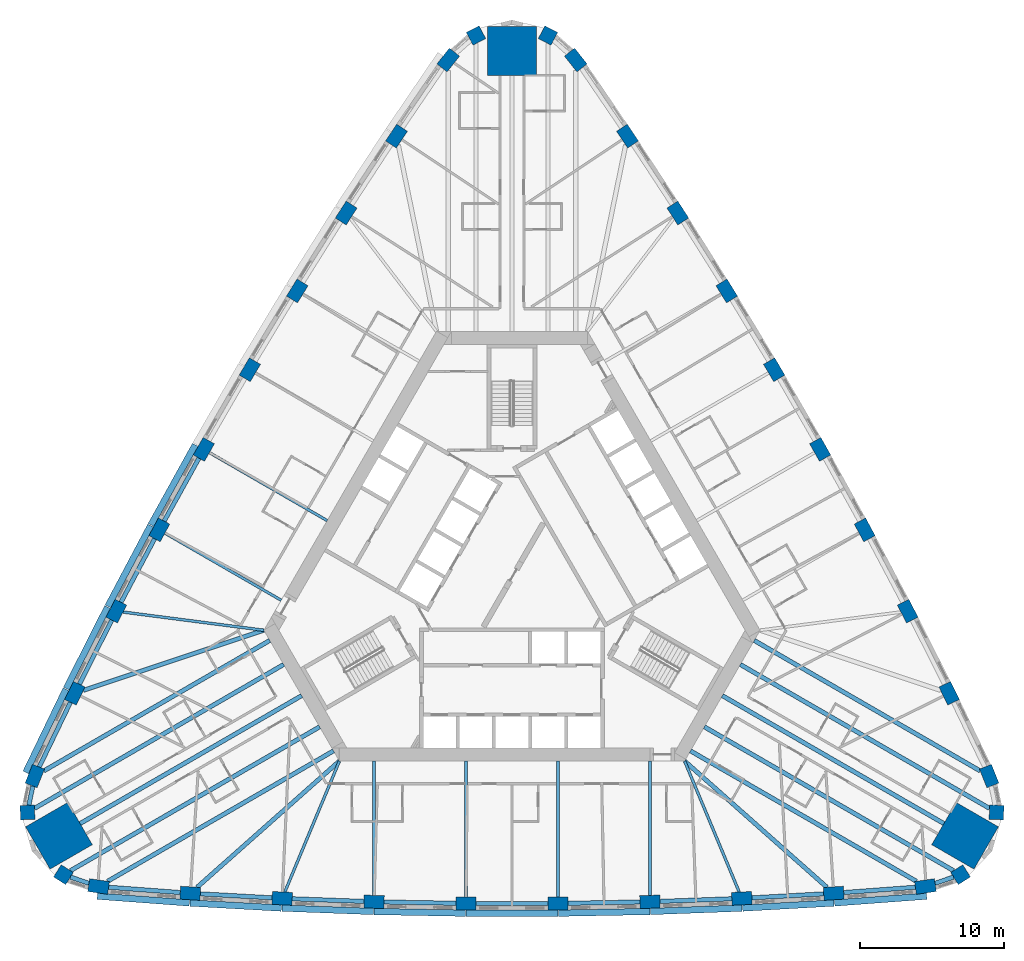
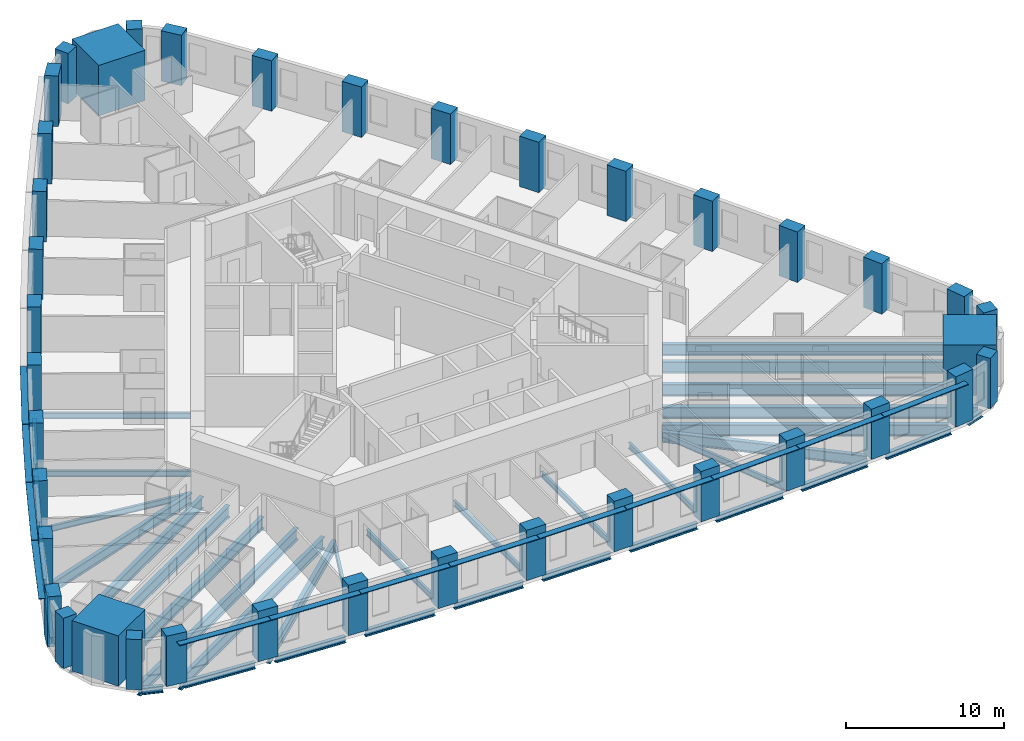
# One storey, part 1 of 13: 39 columns, 38 beams, 13 members.
"""IFC4 building model written with IfcOpenShell, lengths in metres."""

from ifc_helpers import new_model, si_unit, direction, frame, origin, origin_2d, place, context, subcontext, project, spatial, rectangle, i_section, extrude, material, material_profile, profile_set, type_object, element, save


model = new_model("IFC4")

# Units and contexts
model_context = context("Model", 3, precision=1e-05, world=origin(), true_north=direction((0.0, 1.0)))
body_context = subcontext(model_context, "Body", "Model", "MODEL_VIEW")
ifc_project = project(units=[si_unit("LENGTHUNIT", "METRE"), si_unit("AREAUNIT", "SQUARE_METRE"), si_unit("VOLUMEUNIT", "CUBIC_METRE"), si_unit("PLANEANGLEUNIT", "RADIAN"), si_unit("MASSUNIT", "GRAM", prefix="KILO")], contexts=[model_context])

# Site, building, storey
site_placement = place(None, origin())
site = spatial("IfcSite", under=ifc_project, at=site_placement, CompositionType="ELEMENT")
building_placement = place(site_placement, origin())
building = spatial("IfcBuilding", under=site, at=building_placement, Name="Mestral Congress Tower", CompositionType="ELEMENT")
storey_placement = place(building_placement, frame((0.0, 0.0, 31.5)))
storey = spatial("IfcBuildingStorey", under=building, at=storey_placement, Name="L06", CompositionType="ELEMENT", Elevation=31.5)

# Columns
ifc_material_1 = material(Name="Concrete C70/85", Category="concrete")
ifc_material_profile_1 = material_profile(ifc_material_1, rectangle(XDim=1.0, YDim=1.0, at=origin_2d()), Name="RC 1000x1000")
ifc_profile_set_1 = profile_set([ifc_material_profile_1], Name="Concrete C70/85")
column_type_1 = type_object("IfcColumnType", Name="Column RC 1000x1000 C70/85", PredefinedType="COLUMN", material=ifc_profile_set_1)
for number, where, z_axis, x_axis, name in (
    (1, (31.210205078125, -20.90966796875, 0.0), (0.0, 0.0, 1.0), (0.844485001826, 0.535579202071, 0.0), "COL-L06-C1-SE1"),
    (2, (33.71337890625, -16.573974609375, 0.0), (0.0, 0.0, 1.0), (0.041582693819, 0.999135065732, 0.0), "COL-L06-C1-SE3"),
    (3, (2.503173828125, 37.483642578125, 0.0), (0.0, 0.0, 1.0), (-0.886067695645, 0.463555863661, 0.0), "COL-L06-C1-N1"),
    (4, (-2.503173828125, 37.483642578125, 0.0), (0.0, 0.0, 1.0), (-0.886067695645, -0.463555863661, 0.0), "COL-L06-C1-N3"),
    (5, (-33.71337890625, -16.573974609375, 0.0), (0.0, 0.0, 1.0), (0.041582693819, -0.999135065732, 0.0), "COL-L06-C1-SW1"),
    (6, (-31.210205078125, -20.90966796875, 0.0), (0.0, 0.0, 1.0), (0.844485001826, -0.535579202071, 0.0), "COL-L06-C1-SW3"),
):
    element("IfcColumn", number, at=place(storey_placement, frame(where, z_axis=z_axis, x_axis=x_axis)), inside=storey, type_object=column_type_1, Name=name, PredefinedType="COLUMN", context=body_context, shape_type="SweptSolid", body=[
        extrude(rectangle(XDim=1.0, YDim=1.0, at=origin_2d()), origin(), (0.0, 0.0, 1.0), 3.89990234375),
    ])
ifc_material_profile_2 = material_profile(ifc_material_1, rectangle(XDim=1.39990234375, YDim=0.89990234375, at=origin_2d()), Name="RC 1400x900")
ifc_profile_set_2 = profile_set([ifc_material_profile_2], Name="Concrete C70/85")
column_type_2 = type_object("IfcColumnType", Name="Column RC 1400x900 C70/85", PredefinedType="COLUMN", material=ifc_profile_set_2)
for number, where, z_axis, x_axis, name in (
    (7, (-28.766845703125, -21.730712890625, 0.0), (0.0, 0.0, 1.0), (0.989423502484, -0.145055619443, 0.0), "COL-L06-C1-S00"),
    (8, (-22.384521484375, -22.20361328125, 0.0), (0.0, 0.0, 1.0), (0.997907501024, -0.064657709518, 0.0), "COL-L06-C1-S01"),
    (9, (-15.994384765625, -22.558349609375, 0.0), (0.0, 0.0, 1.0), (0.998932216029, -0.04619986774, 0.0), "COL-L06-C1-S02"),
    (10, (-9.598876953125, -22.794921875, 0.0), (0.0, 0.0, 1.0), (0.999615553977, -0.027726237529, 0.0), "COL-L06-C1-S03"),
    (11, (-3.199951171875, -22.9130859375, 0.0), (0.0, 0.0, 1.0), (0.999957281342, -0.009243132098, 0.0), "COL-L06-C1-S04"),
    (12, (3.199951171875, -22.9130859375, 0.0), (0.0, 0.0, 1.0), (0.999957281342, 0.009243132098, 0.0), "COL-L06-C1-S05"),
    (13, (9.598876953125, -22.794921875, 0.0), (0.0, 0.0, 1.0), (0.999615553977, 0.027726237529, 0.0), "COL-L06-C1-S06"),
    (14, (15.994384765625, -22.558349609375, 0.0), (0.0, 0.0, 1.0), (0.998932216029, 0.04619986774, 0.0), "COL-L06-C1-S07"),
    (15, (22.384521484375, -22.20361328125, 0.0), (0.0, 0.0, 1.0), (0.997907501024, 0.064657709518, 0.0), "COL-L06-C1-S08"),
    (16, (28.766845703125, -21.730712890625, 0.0), (0.0, 0.0, 1.0), (0.989423502484, 0.145055619443, 0.0), "COL-L06-C1-S09"),
    (17, (33.202880859375, -14.04736328125, 0.0), (0.0, 0.0, 1.0), (-0.369089899843, 0.929393697974, 0.0), "COL-L06-C1-E00"),
    (18, (30.421142578125, -8.28369140625, 0.0), (0.0, 0.0, 1.0), (-0.442958531519, 0.896542101273, 0.0), "COL-L06-C1-E01"),
    (19, (27.533203125, -2.572265625, 0.0), (0.0, 0.0, 1.0), (-0.4594558489, 0.88820060961, 0.0), "COL-L06-C1-E02"),
    (20, (24.540283203125, 3.084716796875, 0.0), (0.0, 0.0, 1.0), (-0.475796150937, 0.879555582526, 0.0), "COL-L06-C1-E03"),
    (21, (21.443359375, 8.685302734375, 0.0), (0.0, 0.0, 1.0), (-0.491973853463, 0.870609974391, 0.0), "COL-L06-C1-E04"),
    (22, (18.243408203125, 14.227783203125, 0.0), (0.0, 0.0, 1.0), (-0.507983427879, 0.861366842292, 0.0), "COL-L06-C1-E05"),
    (23, (14.941650390625, 19.710205078125, 0.0), (0.0, 0.0, 1.0), (-0.52381940304, 0.851829344998, 0.0), "COL-L06-C1-E06"),
    (24, (11.5390625, 25.130615234375, 0.0), (0.0, 0.0, 1.0), (-0.539476367129, 0.84200074187, 0.0), "COL-L06-C1-E07"),
    (25, (8.03662109375, 30.4873046875, 0.0), (0.0, 0.0, 1.0), (-0.554948969505, 0.831884391755, 0.0), "COL-L06-C1-E08"),
    (26, (4.43603515625, 35.7783203125, 0.0), (0.0, 0.0, 1.0), (-0.620333602641, 0.784338078531, 0.0), "COL-L06-C1-E09"),
    (27, (-4.43603515625, 35.7783203125, 0.0), (0.0, 0.0, 1.0), (-0.620333602641, -0.784338078531, 0.0), "COL-L06-C1-W00"),
    (28, (-8.03662109375, 30.4873046875, 0.0), (0.0, 0.0, 1.0), (-0.554948969505, -0.831884391755, 0.0), "COL-L06-C1-W01"),
    (29, (-11.5390625, 25.130615234375, 0.0), (0.0, 0.0, 1.0), (-0.539476367129, -0.84200074187, 0.0), "COL-L06-C1-W02"),
    (30, (-14.941650390625, 19.710205078125, 0.0), (0.0, 0.0, 1.0), (-0.52381940304, -0.851829344998, 0.0), "COL-L06-C1-W03"),
    (31, (-18.243408203125, 14.227783203125, 0.0), (0.0, 0.0, 1.0), (-0.507983427879, -0.861366842292, 0.0), "COL-L06-C1-W04"),
    (32, (-21.443359375, 8.685302734375, 0.0), (0.0, 0.0, 1.0), (-0.491973853463, -0.870609974391, 0.0), "COL-L06-C1-W05"),
    (33, (-24.540283203125, 3.084716796875, 0.0), (0.0, 0.0, 1.0), (-0.475796150937, -0.879555582526, 0.0), "COL-L06-C1-W06"),
    (34, (-27.533203125, -2.572265625, 0.0), (0.0, 0.0, 1.0), (-0.4594558489, -0.88820060961, 0.0), "COL-L06-C1-W07"),
    (35, (-30.421142578125, -8.28369140625, 0.0), (0.0, 0.0, 1.0), (-0.442958531519, -0.896542101273, 0.0), "COL-L06-C1-W08"),
    (36, (-33.202880859375, -14.04736328125, 0.0), (0.0, 0.0, 1.0), (-0.369089899843, -0.929393697974, 0.0), "COL-L06-C1-W09"),
):
    element("IfcColumn", number, at=place(storey_placement, frame(where, z_axis=z_axis, x_axis=x_axis)), inside=storey, type_object=column_type_2, Name=name, PredefinedType="COLUMN", context=body_context, shape_type="SweptSolid", body=[
        extrude(rectangle(XDim=1.39990234375, YDim=0.89990234375, at=origin_2d()), origin(), (0.0, 0.0, 1.0), 3.89990234375),
    ])
ifc_material_2 = material(Name="Concrete C80/95", Category="concrete")
ifc_material_profile_3 = material_profile(ifc_material_2, rectangle(XDim=3.39990234375, YDim=3.39990234375, at=origin_2d()), Name="RC 3400x3400")
ifc_profile_set_3 = profile_set([ifc_material_profile_3], Name="Concrete C80/95")
column_type_3 = type_object("IfcColumnType", Name="Mega column RC 3400x3400 C80/95", PredefinedType="COLUMN", material=ifc_profile_set_3)
for number, where, z_axis, x_axis, name in (
    (37, (31.5224609375, -18.199462890625, 0.0), (0.0, 0.0, 1.0), (0.866025403784, -0.5, 0.0), "COL-L06-PY1-SE"),
    (38, (0.0, 36.39892578125, 0.0), (0.0, 0.0, 1.0), (0.0, 1.0, 0.0), "COL-L06-PY1-N"),
    (39, (-31.5224609375, -18.199462890625, 0.0), (0.0, 0.0, 1.0), (-0.866025403784, -0.5, 0.0), "COL-L06-PY1-SW"),
):
    element("IfcColumn", number, at=place(storey_placement, frame(where, z_axis=z_axis, x_axis=x_axis)), inside=storey, type_object=column_type_3, Name=name, PredefinedType="COLUMN", context=body_context, shape_type="SweptSolid", body=[
        extrude(rectangle(XDim=3.39990234375, YDim=3.39990234375, at=origin_2d()), origin(), (0.0, 0.0, 1.0), 3.89990234375),
    ])

# Members
ifc_material_3 = material(Name="Glazed ceramic", Category="masonry")
ifc_material_profile_4 = material_profile(ifc_material_3, rectangle(XDim=0.449951171875, YDim=0.06005859375, at=origin_2d()), Name="Ceramic blade 450 x 60")
ifc_profile_set_4 = profile_set([ifc_material_profile_4], Name="Glazed ceramic")
member_type = type_object("IfcMemberType", Name="Facade sunshade blade 450 x 60", PredefinedType="USERDEFINED", material=ifc_profile_set_4)
member_1_placement = place(storey_placement, frame((-28.853271484375, -22.4013671875, 3.280029296875), z_axis=(0.997269829073, -0.073843672858, 0.0), x_axis=(0.073843672858, 0.997269829073, 0.0)))
element("IfcMember", 40, at=member_1_placement, inside=storey, type_object=member_type, Name="Sunshade F0-00", ObjectType="SUNSHADE", PredefinedType="USERDEFINED", context=body_context, shape_type="SweptSolid", body=[
    extrude(rectangle(XDim=0.449951171875, YDim=0.06005859375, at=origin_2d()), origin(), (0.0, 0.0, 1.0), 6.420654296875),
])
member_2_placement = place(storey_placement, frame((-22.406005859375, -22.87841796875, 3.280029296875), z_axis=(0.998462240013, -0.055436046654, 0.0), x_axis=(0.055436046654, 0.998462240013, 0.0)))
element("IfcMember", 41, at=member_2_placement, inside=storey, type_object=member_type, Name="Sunshade F0-01", ObjectType="SUNSHADE", PredefinedType="USERDEFINED", context=body_context, shape_type="SweptSolid", body=[
    extrude(rectangle(XDim=0.449951171875, YDim=0.06005859375, at=origin_2d()), origin(), (0.0, 0.0, 1.0), 6.3681640625),
])
member_3_placement = place(storey_placement, frame((-16.00341796875, -23.2333984375, 3.280029296875), z_axis=(0.99931546381, -0.036994645436, 0.0), x_axis=(0.036994645436, 0.99931546381, 0.0)))
element("IfcMember", 42, at=member_3_placement, inside=storey, type_object=member_type, Name="Sunshade F0-02", ObjectType="SUNSHADE", PredefinedType="USERDEFINED", context=body_context, shape_type="SweptSolid", body=[
    extrude(rectangle(XDim=0.449951171875, YDim=0.06005859375, at=origin_2d()), origin(), (0.0, 0.0, 1.0), 6.368408203125),
])
for number, where, z_axis, x_axis, name in (
    (43, (-9.595458984375, -23.47021484375, 3.280029296875), (0.99982925906, -0.018478439527, 0.0), (0.018478439527, 0.99982925906, 0.0), "Sunshade F0-03"),
    (44, (-3.18408203125, -23.588134765625, 3.280029296875), (1.0, 0.0, 0.0), (0.0, 1.0, 0.0), "Sunshade F0-04"),
    (45, (3.228271484375, -23.587890625, 3.280029296875), (0.99982925906, 0.018478439527, 0.0), (-0.018478439527, 0.99982925906, 0.0), "Sunshade F0-05"),
):
    element("IfcMember", number, at=place(storey_placement, frame(where, z_axis=z_axis, x_axis=x_axis)), inside=storey, type_object=member_type, Name=name, ObjectType="SUNSHADE", PredefinedType="USERDEFINED", context=body_context, shape_type="SweptSolid", body=[
        extrude(rectangle(XDim=0.449951171875, YDim=0.06005859375, at=origin_2d()), origin(), (0.0, 0.0, 1.0), 6.3681640625),
    ])
member_4_placement = place(storey_placement, frame((9.639404296875, -23.468994140625, 3.280029296875), z_axis=(0.99931546381, 0.036994645436, 0.0), x_axis=(-0.036994645436, 0.99931546381, 0.0)))
element("IfcMember", 46, at=member_4_placement, inside=storey, type_object=member_type, Name="Sunshade F0-06", ObjectType="SUNSHADE", PredefinedType="USERDEFINED", context=body_context, shape_type="SweptSolid", body=[
    extrude(rectangle(XDim=0.449951171875, YDim=0.06005859375, at=origin_2d()), origin(), (0.0, 0.0, 1.0), 6.368408203125),
])
member_5_placement = place(storey_placement, frame((16.047607421875, -23.2314453125, 3.280029296875), z_axis=(0.998462240013, 0.055436046654, 0.0), x_axis=(-0.055436046654, 0.998462240013, 0.0)))
element("IfcMember", 47, at=member_5_placement, inside=storey, type_object=member_type, Name="Sunshade F0-07", ObjectType="SUNSHADE", PredefinedType="USERDEFINED", context=body_context, shape_type="SweptSolid", body=[
    extrude(rectangle(XDim=0.449951171875, YDim=0.06005859375, at=origin_2d()), origin(), (0.0, 0.0, 1.0), 6.3681640625),
])
member_6_placement = place(storey_placement, frame((22.4501953125, -22.87548828125, 3.280029296875), z_axis=(0.997269829073, 0.073843672858, 0.0), x_axis=(-0.073843672858, 0.997269829073, 0.0)))
element("IfcMember", 48, at=member_6_placement, inside=storey, type_object=member_type, Name="Sunshade F0-08", ObjectType="SUNSHADE", PredefinedType="USERDEFINED", context=body_context, shape_type="SweptSolid", body=[
    extrude(rectangle(XDim=0.449951171875, YDim=0.06005859375, at=origin_2d()), origin(), (0.0, 0.0, 1.0), 6.420654296875),
])
for number, where, z_axis, x_axis, name in (
    (49, (-22.041748046875, 8.998291015625, 3.280029296875), (-0.483893994258, -0.875126620736, 0.0), (0.875126620736, -0.483893994258, 0.0), "Sunshade F2-05"),
    (50, (-25.144287109375, 3.38623046875, 3.280029296875), (-0.467674573128, -0.883900726128, 0.0), (0.883900726128, -0.467674573128, 0.0), "Sunshade F2-06"),
    (51, (-28.142822265625, -2.28173828125, 3.280029296875), (-0.451226804026, -0.892409307061, 0.0), (0.892409307061, -0.451226804026, 0.0), "Sunshade F2-07"),
):
    element("IfcMember", number, at=place(storey_placement, frame(where, z_axis=z_axis, x_axis=x_axis)), inside=storey, type_object=member_type, Name=name, ObjectType="SUNSHADE", PredefinedType="USERDEFINED", context=body_context, shape_type="SweptSolid", body=[
        extrude(rectangle(XDim=0.449951171875, YDim=0.06005859375, at=origin_2d()), origin(), (0.0, 0.0, 1.0), 6.3681640625),
    ])
member_7_placement = place(storey_placement, frame((-31.035888671875, -8.00439453125, 3.280029296875), z_axis=(-0.434637414368, -0.900605528537, 0.0), x_axis=(0.900605528537, -0.434637414368, 0.0)))
element("IfcMember", 52, at=member_7_placement, inside=storey, type_object=member_type, Name="Sunshade F2-08", ObjectType="SUNSHADE", PredefinedType="USERDEFINED", context=body_context, shape_type="SweptSolid", body=[
    extrude(rectangle(XDim=0.449951171875, YDim=0.06005859375, at=origin_2d()), origin(), (0.0, 0.0, 1.0), 6.4208984375),
])

# Beams
ifc_material_4 = material(Name="Steel S355", Category="steel")
ifc_material_profile_5 = material_profile(ifc_material_4, i_section(OverallWidth=0.300048828125, OverallDepth=0.800048828125, WebThickness=0.017578125, FlangeThickness=0.032958984375, FilletRadius=0.030029296875, at=origin_2d()), Name="HEB 800")
ifc_profile_set_5 = profile_set([ifc_material_profile_5], Name="Steel S355")
beam_type_1 = type_object("IfcBeamType", Name="Floor beam HEB 800 S355", PredefinedType="BEAM", material=ifc_profile_set_5)
for number, where, z_axis, x_axis, name in (
    (53, (-21.91064453125, -21.783447265625, -0.64990234375), (0.748091770025, 0.663595286015, 0.0), (-0.663595286015, 0.748091770025, 0.0), "BM-L06-RB1-S01"),
    (54, (21.91064453125, -21.783447265625, -0.64990234375), (-0.748091770025, 0.663595286015, 0.0), (-0.663595286015, -0.748091770025, 0.0), "BM-L06-RB1-S08"),
    (55, (-29.8203125, -8.08349609375, -0.64990234375), (0.948734931285, 0.316072824141, 0.0), (-0.316072824141, 0.948734931285, 0.0), "BM-L06-RB1-W08"),
):
    element("IfcBeam", number, at=place(storey_placement, frame(where, z_axis=z_axis, x_axis=x_axis)), inside=storey, type_object=beam_type_1, Name=name, PredefinedType="BEAM", context=body_context, shape_type="SweptSolid", body=[
        extrude(i_section(OverallWidth=0.300048828125, OverallDepth=0.800048828125, WebThickness=0.017578125, FlangeThickness=0.032958984375, FilletRadius=0.030029296875, at=origin_2d()), origin(), (0.0, 0.0, 1.0), 13.236083984375),
    ])
ifc_material_profile_6 = material_profile(ifc_material_4, i_section(OverallWidth=0.300048828125, OverallDepth=0.89990234375, WebThickness=0.0185546875, FlangeThickness=0.034912109375, FilletRadius=0.030029296875, at=origin_2d()), Name="HEB 900")
ifc_profile_set_6 = profile_set([ifc_material_profile_6], Name="Steel S355")
beam_type_2 = type_object("IfcBeamType", Name="Floor beam HEB 900 S355", PredefinedType="BEAM", material=ifc_profile_set_6)
for number, where, z_axis, x_axis, name in (
    (56, (-28.138671875, -21.3681640625, -0.699951171875), (0.866027243369, 0.499996813733, 0.0), (-0.499996813733, 0.866027243369, 0.0), "BM-L06-RB1-S00"),
    (57, (28.138671875, -21.3681640625, -0.699951171875), (-0.866027243369, 0.499996813733, 0.0), (-0.499996813733, -0.866027243369, 0.0), "BM-L06-RB1-S09"),
):
    element("IfcBeam", number, at=place(storey_placement, frame(where, z_axis=z_axis, x_axis=x_axis)), inside=storey, type_object=beam_type_2, Name=name, PredefinedType="BEAM", context=body_context, shape_type="SweptSolid", body=[
        extrude(i_section(OverallWidth=0.300048828125, OverallDepth=0.89990234375, WebThickness=0.0185546875, FlangeThickness=0.034912109375, FilletRadius=0.030029296875, at=origin_2d()), origin(), (0.0, 0.0, 1.0), 18.15283203125),
    ])
beam_1_placement = place(storey_placement, frame((30.721435546875, -20.62744140625, -0.699951171875), z_axis=(-0.866027382289, 0.499996573113, 0.0), x_axis=(-0.499996573113, -0.866027382289, 0.0)))
element("IfcBeam", 58, at=beam_1_placement, inside=storey, type_object=beam_type_2, Name="BM-L06-RB1-SE1", PredefinedType="BEAM", context=body_context, shape_type="SweptSolid", body=[
    extrude(i_section(OverallWidth=0.300048828125, OverallDepth=0.89990234375, WebThickness=0.0185546875, FlangeThickness=0.034912109375, FilletRadius=0.030029296875, at=origin_2d()), origin(), (0.0, 0.0, 1.0), 20.019287109375),
])
beam_2_placement = place(storey_placement, frame((30.050048828125, -17.349609375, -0.699951171875), z_axis=(-0.866020438056, 0.500008600796, 0.0), x_axis=(-0.500008600796, -0.866020438056, 0.0)))
element("IfcBeam", 59, at=beam_2_placement, inside=storey, type_object=beam_type_2, Name="BM-L06-RB1-SE", PredefinedType="BEAM", context=body_context, shape_type="SweptSolid", body=[
    extrude(i_section(OverallWidth=0.300048828125, OverallDepth=0.89990234375, WebThickness=0.0185546875, FlangeThickness=0.034912109375, FilletRadius=0.030029296875, at=origin_2d()), origin(), (0.0, 0.0, 1.0), 17.799072265625),
])
beam_3_placement = place(storey_placement, frame((33.224609375, -16.291748046875, -0.699951171875), z_axis=(-0.866027382289, 0.499996573113, 0.0), x_axis=(-0.499996573113, -0.866027382289, 0.0)))
element("IfcBeam", 60, at=beam_3_placement, inside=storey, type_object=beam_type_2, Name="BM-L06-RB1-SE3", PredefinedType="BEAM", context=body_context, shape_type="SweptSolid", body=[
    extrude(i_section(OverallWidth=0.300048828125, OverallDepth=0.89990234375, WebThickness=0.0185546875, FlangeThickness=0.034912109375, FilletRadius=0.030029296875, at=origin_2d()), origin(), (0.0, 0.0, 1.0), 20.019287109375),
])
for number, where, z_axis, x_axis, name in (
    (61, (32.574462890625, -13.6845703125, -0.699951171875), (-0.866029704776, 0.49999255039, 0.0), (-0.49999255039, -0.866029704776, 0.0), "BM-L06-RB1-E00"),
    (62, (-32.574462890625, -13.6845703125, -0.699951171875), (0.866029704776, 0.49999255039, 0.0), (-0.49999255039, 0.866029704776, 0.0), "BM-L06-RB1-W09"),
):
    element("IfcBeam", number, at=place(storey_placement, frame(where, z_axis=z_axis, x_axis=x_axis)), inside=storey, type_object=beam_type_2, Name=name, PredefinedType="BEAM", context=body_context, shape_type="SweptSolid", body=[
        extrude(i_section(OverallWidth=0.300048828125, OverallDepth=0.89990234375, WebThickness=0.0185546875, FlangeThickness=0.034912109375, FilletRadius=0.030029296875, at=origin_2d()), origin(), (0.0, 0.0, 1.0), 18.152587890625),
    ])
beam_4_placement = place(storey_placement, frame((-33.224609375, -16.291748046875, -0.699951171875), z_axis=(0.866027382289, 0.499996573113, 0.0), x_axis=(-0.499996573113, 0.866027382289, 0.0)))
element("IfcBeam", 63, at=beam_4_placement, inside=storey, type_object=beam_type_2, Name="BM-L06-RB1-SW1", PredefinedType="BEAM", context=body_context, shape_type="SweptSolid", body=[
    extrude(i_section(OverallWidth=0.300048828125, OverallDepth=0.89990234375, WebThickness=0.0185546875, FlangeThickness=0.034912109375, FilletRadius=0.030029296875, at=origin_2d()), origin(), (0.0, 0.0, 1.0), 20.019287109375),
])
beam_5_placement = place(storey_placement, frame((-30.050048828125, -17.349609375, -0.699951171875), z_axis=(0.866020438056, 0.500008600796, 0.0), x_axis=(-0.500008600796, 0.866020438056, 0.0)))
element("IfcBeam", 64, at=beam_5_placement, inside=storey, type_object=beam_type_2, Name="BM-L06-RB1-SW", PredefinedType="BEAM", context=body_context, shape_type="SweptSolid", body=[
    extrude(i_section(OverallWidth=0.300048828125, OverallDepth=0.89990234375, WebThickness=0.0185546875, FlangeThickness=0.034912109375, FilletRadius=0.030029296875, at=origin_2d()), origin(), (0.0, 0.0, 1.0), 17.799072265625),
])
beam_6_placement = place(storey_placement, frame((-30.721435546875, -20.62744140625, -0.699951171875), z_axis=(0.866027382289, 0.499996573113, 0.0), x_axis=(-0.499996573113, 0.866027382289, 0.0)))
element("IfcBeam", 65, at=beam_6_placement, inside=storey, type_object=beam_type_2, Name="BM-L06-RB1-SW3", PredefinedType="BEAM", context=body_context, shape_type="SweptSolid", body=[
    extrude(i_section(OverallWidth=0.300048828125, OverallDepth=0.89990234375, WebThickness=0.0185546875, FlangeThickness=0.034912109375, FilletRadius=0.030029296875, at=origin_2d()), origin(), (0.0, 0.0, 1.0), 20.019287109375),
])
ifc_material_profile_7 = material_profile(ifc_material_4, i_section(OverallWidth=0.18994140625, OverallDepth=0.449951171875, WebThickness=0.009521484375, FlangeThickness=0.0146484375, FilletRadius=0.02099609375, at=origin_2d()), Name="IPE 450")
ifc_profile_set_7 = profile_set([ifc_material_profile_7], Name="Steel S355")
beam_type_3 = type_object("IfcBeamType", Name="Floor beam IPE 450 S355", PredefinedType="BEAM", material=ifc_profile_set_7)
beam_7_placement = place(storey_placement, frame((-15.81005859375, -22.116455078125, -0.47509765625), z_axis=(0.384852309441, 0.922978168711, 0.0), x_axis=(-0.922978168711, 0.384852309441, 0.0)))
element("IfcBeam", 66, at=beam_7_placement, inside=storey, type_object=beam_type_3, Name="BM-L06-RB1-S02", PredefinedType="BEAM", context=body_context, shape_type="SweptSolid", body=[
    extrude(i_section(OverallWidth=0.18994140625, OverallDepth=0.449951171875, WebThickness=0.009521484375, FlangeThickness=0.0146484375, FilletRadius=0.02099609375, at=origin_2d()), origin(), (0.0, 0.0, 1.0), 9.877197265625),
])
beam_8_placement = place(storey_placement, frame((-9.598876953125, -22.3447265625, -0.47509765625), z_axis=(0.0, 1.0, 0.0), x_axis=(-1.0, 0.0, 0.0)))
element("IfcBeam", 67, at=beam_8_placement, inside=storey, type_object=beam_type_3, Name="BM-L06-RB1-S03", PredefinedType="BEAM", context=body_context, shape_type="SweptSolid", body=[
    extrude(i_section(OverallWidth=0.18994140625, OverallDepth=0.449951171875, WebThickness=0.009521484375, FlangeThickness=0.0146484375, FilletRadius=0.02099609375, at=origin_2d()), origin(), (0.0, 0.0, 1.0), 9.3447265625),
])
for number, where, z_axis, x_axis, name in (
    (68, (-3.199951171875, -22.463134765625, -0.47509765625), (0.0, 1.0, 0.0), (-1.0, 0.0, 0.0), "BM-L06-RB1-S04"),
    (69, (3.199951171875, -22.463134765625, -0.47509765625), (0.0, 1.0, 0.0), (-1.0, 0.0, 0.0), "BM-L06-RB1-S05"),
):
    element("IfcBeam", number, at=place(storey_placement, frame(where, z_axis=z_axis, x_axis=x_axis)), inside=storey, type_object=beam_type_3, Name=name, PredefinedType="BEAM", context=body_context, shape_type="SweptSolid", body=[
        extrude(i_section(OverallWidth=0.18994140625, OverallDepth=0.449951171875, WebThickness=0.009521484375, FlangeThickness=0.0146484375, FilletRadius=0.02099609375, at=origin_2d()), origin(), (0.0, 0.0, 1.0), 9.463134765625),
    ])
beam_9_placement = place(storey_placement, frame((9.598876953125, -22.3447265625, -0.47509765625), z_axis=(0.0, 1.0, 0.0), x_axis=(-1.0, 0.0, 0.0)))
element("IfcBeam", 70, at=beam_9_placement, inside=storey, type_object=beam_type_3, Name="BM-L06-RB1-S06", PredefinedType="BEAM", context=body_context, shape_type="SweptSolid", body=[
    extrude(i_section(OverallWidth=0.18994140625, OverallDepth=0.449951171875, WebThickness=0.009521484375, FlangeThickness=0.0146484375, FilletRadius=0.02099609375, at=origin_2d()), origin(), (0.0, 0.0, 1.0), 9.3447265625),
])
beam_10_placement = place(storey_placement, frame((15.81005859375, -22.116455078125, -0.47509765625), z_axis=(-0.384852309441, 0.922978168711, 0.0), x_axis=(-0.922978168711, -0.384852309441, 0.0)))
element("IfcBeam", 71, at=beam_10_placement, inside=storey, type_object=beam_type_3, Name="BM-L06-RB1-S07", PredefinedType="BEAM", context=body_context, shape_type="SweptSolid", body=[
    extrude(i_section(OverallWidth=0.18994140625, OverallDepth=0.449951171875, WebThickness=0.009521484375, FlangeThickness=0.0146484375, FilletRadius=0.02099609375, at=origin_2d()), origin(), (0.0, 0.0, 1.0), 9.877197265625),
])
beam_11_placement = place(storey_placement, frame((-21.0537109375, 8.46044921875, -0.47509765625), z_axis=(0.866019749231, -0.500009793847, 0.0), x_axis=(0.500009793847, 0.866019749231, 0.0)))
element("IfcBeam", 72, at=beam_11_placement, inside=storey, type_object=beam_type_3, Name="BM-L06-RB1-W05", PredefinedType="BEAM", context=body_context, shape_type="SweptSolid", body=[
    extrude(i_section(OverallWidth=0.18994140625, OverallDepth=0.449951171875, WebThickness=0.009521484375, FlangeThickness=0.0146484375, FilletRadius=0.02099609375, at=origin_2d()), origin(), (0.0, 0.0, 1.0), 9.463134765625),
])
beam_12_placement = place(storey_placement, frame((-24.150634765625, 2.859619140625, -0.47509765625), z_axis=(0.866032011123, -0.499988555579, 0.0), x_axis=(0.499988555579, 0.866032011123, 0.0)))
element("IfcBeam", 73, at=beam_12_placement, inside=storey, type_object=beam_type_3, Name="BM-L06-RB1-W06", PredefinedType="BEAM", context=body_context, shape_type="SweptSolid", body=[
    extrude(i_section(OverallWidth=0.18994140625, OverallDepth=0.449951171875, WebThickness=0.009521484375, FlangeThickness=0.0146484375, FilletRadius=0.02099609375, at=origin_2d()), origin(), (0.0, 0.0, 1.0), 9.344970703125),
])
beam_13_placement = place(storey_placement, frame((-27.058349609375, -2.6337890625, -0.47509765625), z_axis=(0.99175011495, -0.128186229747, 0.0), x_axis=(0.128186229747, 0.99175011495, 0.0)))
element("IfcBeam", 74, at=beam_13_placement, inside=storey, type_object=beam_type_3, Name="BM-L06-RB1-W07", PredefinedType="BEAM", context=body_context, shape_type="SweptSolid", body=[
    extrude(i_section(OverallWidth=0.18994140625, OverallDepth=0.449951171875, WebThickness=0.009521484375, FlangeThickness=0.0146484375, FilletRadius=0.02099609375, at=origin_2d()), origin(), (0.0, 0.0, 1.0), 9.877197265625),
])
ifc_material_profile_8 = material_profile(ifc_material_4, i_section(OverallWidth=0.300048828125, OverallDepth=0.489990234375, WebThickness=0.011962890625, FlangeThickness=0.02294921875, FilletRadius=0.027099609375, at=origin_2d()), Name="HEA 500")
ifc_profile_set_8 = profile_set([ifc_material_profile_8], Name="Steel S355")
beam_type_4 = type_object("IfcBeamType", Name="Spandrel beam HEA 500 S355", PredefinedType="BEAM", material=ifc_profile_set_8)
beam_14_placement = place(storey_placement, frame((-28.06689453125, -21.78271484375, -0.4951171875), z_axis=(0.997268820599, -0.073857291181, 0.0), x_axis=(0.073857291181, 0.997268820599, 0.0)))
element("IfcBeam", 75, at=beam_14_placement, inside=storey, type_object=beam_type_4, Name="SP-L06-SB1-S00", PredefinedType="BEAM", context=body_context, shape_type="SweptSolid", body=[
    extrude(i_section(OverallWidth=0.300048828125, OverallDepth=0.489990234375, WebThickness=0.011962890625, FlangeThickness=0.02294921875, FilletRadius=0.027099609375, at=origin_2d()), origin(), (0.0, 0.0, 1.0), 4.998046875),
])
for number, where, z_axis, x_axis, name in (
    (76, (-21.685546875, -22.242431640625, -0.4951171875), (0.998463056415, -0.055421340426, 0.0), (0.055421340426, 0.998463056415, 0.0), "SP-L06-SB1-S01"),
    (77, (-15.294677734375, -22.584228515625, -0.4951171875), (0.999316571833, -0.036964702901, 0.0), (0.036964702901, 0.999316571833, 0.0), "SP-L06-SB1-S02"),
    (78, (-8.89892578125, -22.807861328125, -0.4951171875), (0.999829645984, -0.018457492, 0.0), (0.018457492, 0.999829645984, 0.0), "SP-L06-SB1-S03"),
):
    element("IfcBeam", number, at=place(storey_placement, frame(where, z_axis=z_axis, x_axis=x_axis)), inside=storey, type_object=beam_type_4, Name=name, PredefinedType="BEAM", context=body_context, shape_type="SweptSolid", body=[
        extrude(i_section(OverallWidth=0.300048828125, OverallDepth=0.489990234375, WebThickness=0.011962890625, FlangeThickness=0.02294921875, FilletRadius=0.027099609375, at=origin_2d()), origin(), (0.0, 0.0, 1.0), 4.999755859375),
    ])
beam_15_placement = place(storey_placement, frame((-2.5, -22.9130859375, -0.4951171875), z_axis=(1.0, 0.0, 0.0), x_axis=(0.0, 1.0, 0.0)))
element("IfcBeam", 79, at=beam_15_placement, inside=storey, type_object=beam_type_4, Name="SP-L06-SB1-S04", PredefinedType="BEAM", context=body_context, shape_type="SweptSolid", body=[
    extrude(i_section(OverallWidth=0.300048828125, OverallDepth=0.489990234375, WebThickness=0.011962890625, FlangeThickness=0.02294921875, FilletRadius=0.027099609375, at=origin_2d()), origin(), (0.0, 0.0, 1.0), 5.0),
])
for number, where, z_axis, x_axis, name in (
    (80, (3.89990234375, -22.900146484375, -0.4951171875), (0.999829645984, 0.018457492, 0.0), (-0.018457492, 0.999829645984, 0.0), "SP-L06-SB1-S05"),
    (81, (10.29833984375, -22.76904296875, -0.4951171875), (0.999316571833, 0.036964702901, 0.0), (-0.036964702901, 0.999316571833, 0.0), "SP-L06-SB1-S06"),
    (82, (16.693359375, -22.51953125, -0.4951171875), (0.998463056415, 0.055421340426, 0.0), (-0.055421340426, 0.998463056415, 0.0), "SP-L06-SB1-S07"),
):
    element("IfcBeam", number, at=place(storey_placement, frame(where, z_axis=z_axis, x_axis=x_axis)), inside=storey, type_object=beam_type_4, Name=name, PredefinedType="BEAM", context=body_context, shape_type="SweptSolid", body=[
        extrude(i_section(OverallWidth=0.300048828125, OverallDepth=0.489990234375, WebThickness=0.011962890625, FlangeThickness=0.02294921875, FilletRadius=0.027099609375, at=origin_2d()), origin(), (0.0, 0.0, 1.0), 4.999755859375),
    ])
beam_16_placement = place(storey_placement, frame((23.08251953125, -22.15185546875, -0.4951171875), z_axis=(0.997268820599, 0.073857291181, 0.0), x_axis=(-0.073857291181, 0.997268820599, 0.0)))
element("IfcBeam", 83, at=beam_16_placement, inside=storey, type_object=beam_type_4, Name="SP-L06-SB1-S08", PredefinedType="BEAM", context=body_context, shape_type="SweptSolid", body=[
    extrude(i_section(OverallWidth=0.300048828125, OverallDepth=0.489990234375, WebThickness=0.011962890625, FlangeThickness=0.02294921875, FilletRadius=0.027099609375, at=origin_2d()), origin(), (0.0, 0.0, 1.0), 4.998046875),
])
beam_17_placement = place(storey_placement, frame((29.441162109375, -21.504150390625, -0.4951171875), z_axis=(0.947921796083, 0.318503168762, 0.0), x_axis=(-0.318503168762, 0.947921796083, 0.0)))
element("IfcBeam", 84, at=beam_17_placement, inside=storey, type_object=beam_type_4, Name="SP-L06-SB1-S09", PredefinedType="BEAM", context=body_context, shape_type="SweptSolid", body=[
    extrude(i_section(OverallWidth=0.300048828125, OverallDepth=0.489990234375, WebThickness=0.011962890625, FlangeThickness=0.02294921875, FilletRadius=0.027099609375, at=origin_2d()), origin(), (0.0, 0.0, 1.0), 1.351318359375),
])
beam_18_placement = place(storey_placement, frame((-21.7822265625, 8.07275390625, -0.4951171875), z_axis=(-0.483900688062, -0.875122919419, 0.0), x_axis=(0.875122919419, -0.483900688062, 0.0)))
element("IfcBeam", 85, at=beam_18_placement, inside=storey, type_object=beam_type_4, Name="SP-L06-SB1-W05", PredefinedType="BEAM", context=body_context, shape_type="SweptSolid", body=[
    extrude(i_section(OverallWidth=0.300048828125, OverallDepth=0.489990234375, WebThickness=0.011962890625, FlangeThickness=0.02294921875, FilletRadius=0.027099609375, at=origin_2d()), origin(), (0.0, 0.0, 1.0), 4.999755859375),
])
beam_19_placement = place(storey_placement, frame((-24.86767578125, 2.4658203125, -0.4951171875), z_axis=(-0.467681307417, -0.883897162962, 0.0), x_axis=(0.883897162962, -0.467681307417, 0.0)))
element("IfcBeam", 86, at=beam_19_placement, inside=storey, type_object=beam_type_4, Name="SP-L06-SB1-W06", PredefinedType="BEAM", context=body_context, shape_type="SweptSolid", body=[
    extrude(i_section(OverallWidth=0.300048828125, OverallDepth=0.489990234375, WebThickness=0.011962890625, FlangeThickness=0.02294921875, FilletRadius=0.027099609375, at=origin_2d()), origin(), (0.0, 0.0, 1.0), 5.0),
])
beam_20_placement = place(storey_placement, frame((-27.84912109375, -3.197021484375, -0.4951171875), z_axis=(-0.45123261425, -0.892406369227, 0.0), x_axis=(0.892406369227, -0.45123261425, 0.0)))
element("IfcBeam", 87, at=beam_20_placement, inside=storey, type_object=beam_type_4, Name="SP-L06-SB1-W07", PredefinedType="BEAM", context=body_context, shape_type="SweptSolid", body=[
    extrude(i_section(OverallWidth=0.300048828125, OverallDepth=0.489990234375, WebThickness=0.011962890625, FlangeThickness=0.02294921875, FilletRadius=0.027099609375, at=origin_2d()), origin(), (0.0, 0.0, 1.0), 4.999755859375),
])
beam_21_placement = place(storey_placement, frame((-30.725341796875, -8.9140625, -0.4951171875), z_axis=(-0.434645244295, -0.900601749727, 0.0), x_axis=(0.900601749727, -0.434645244295, 0.0)))
element("IfcBeam", 88, at=beam_21_placement, inside=storey, type_object=beam_type_4, Name="SP-L06-SB1-W08", PredefinedType="BEAM", context=body_context, shape_type="SweptSolid", body=[
    extrude(i_section(OverallWidth=0.300048828125, OverallDepth=0.489990234375, WebThickness=0.011962890625, FlangeThickness=0.02294921875, FilletRadius=0.027099609375, at=origin_2d()), origin(), (0.0, 0.0, 1.0), 4.998046875),
])
beam_22_placement = place(storey_placement, frame((-33.34375, -14.74462890625, -0.4951171875), z_axis=(-0.197991750859, -0.980203686277, 0.0), x_axis=(0.980203686277, -0.197991750859, 0.0)))
element("IfcBeam", 89, at=beam_22_placement, inside=storey, type_object=beam_type_4, Name="SP-L06-SB1-W09", PredefinedType="BEAM", context=body_context, shape_type="SweptSolid", body=[
    extrude(i_section(OverallWidth=0.300048828125, OverallDepth=0.489990234375, WebThickness=0.011962890625, FlangeThickness=0.02294921875, FilletRadius=0.027099609375, at=origin_2d()), origin(), (0.0, 0.0, 1.0), 1.3515625),
])
beam_23_placement = place(storey_placement, frame((-30.72216796875, -21.07373046875, -0.4951171875), z_axis=(0.947921796083, -0.318503168762, 0.0), x_axis=(0.318503168762, 0.947921796083, 0.0)))
element("IfcBeam", 90, at=beam_23_placement, inside=storey, type_object=beam_type_4, Name="SP-L06-SB1-SW3", PredefinedType="BEAM", context=body_context, shape_type="SweptSolid", body=[
    extrude(i_section(OverallWidth=0.300048828125, OverallDepth=0.489990234375, WebThickness=0.011962890625, FlangeThickness=0.02294921875, FilletRadius=0.027099609375, at=origin_2d()), origin(), (0.0, 0.0, 1.0), 1.351318359375),
])

save(model, "model.ifc")
